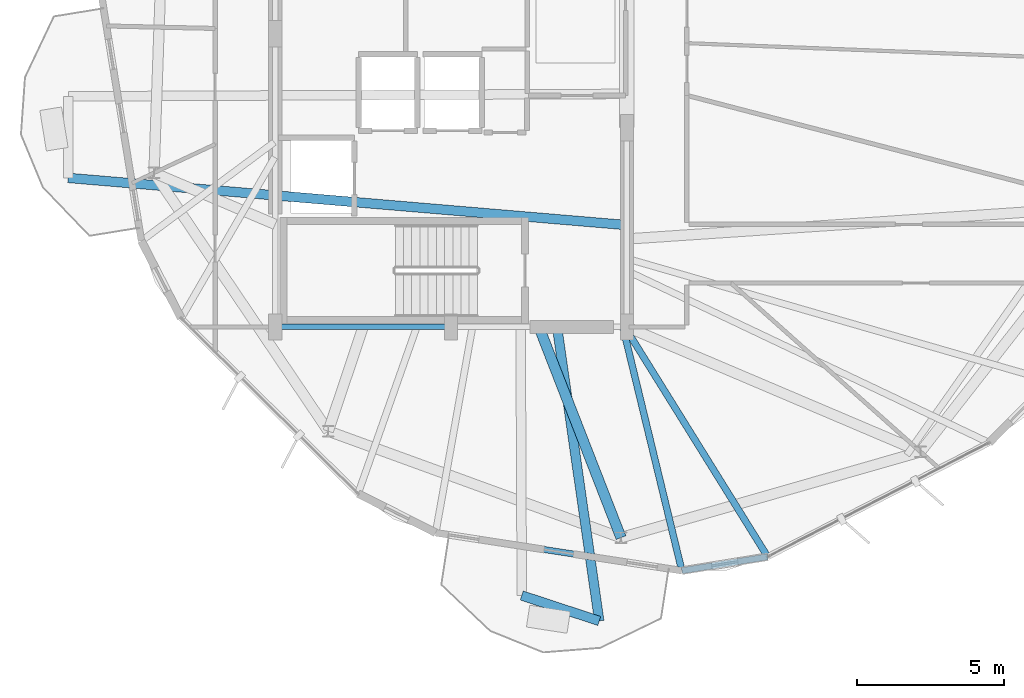
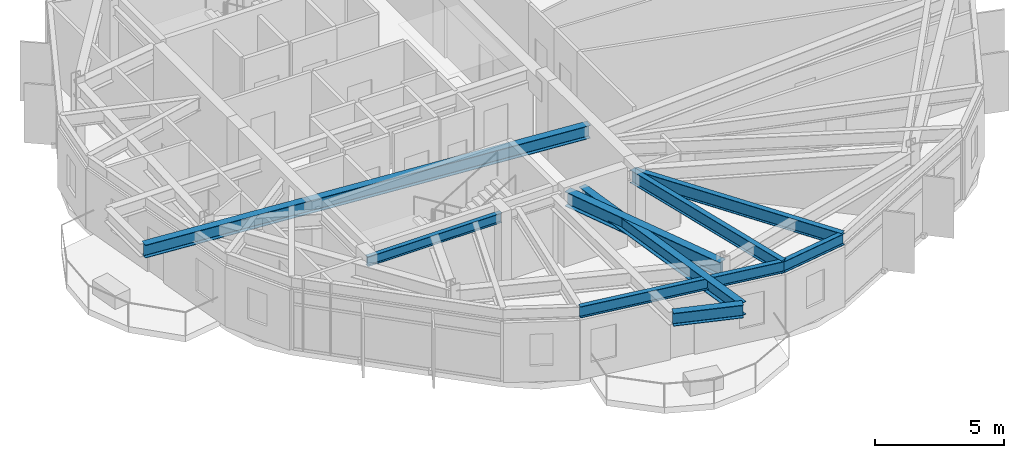
# One storey, part 4 of 22: 9 beams.
"""IFC4 building model written with IfcOpenShell, lengths in metres."""

from ifc_helpers import new_model, si_unit, direction, frame, origin, origin_2d, place, context, subcontext, project, spatial, i_section, extrude, material, material_profile, profile_set, type_object, element, save


model = new_model("IFC4")

# Units and contexts
model_context = context("Model", 3, precision=1e-05, world=origin(), true_north=direction((0.0, 1.0)))
body_context = subcontext(model_context, "Body", "Model", "MODEL_VIEW")
ifc_project = project(units=[si_unit("LENGTHUNIT", "METRE"), si_unit("AREAUNIT", "SQUARE_METRE"), si_unit("VOLUMEUNIT", "CUBIC_METRE"), si_unit("PLANEANGLEUNIT", "RADIAN"), si_unit("MASSUNIT", "GRAM", prefix="KILO")], contexts=[model_context])

# Site, building, storey
site_placement = place(None, origin())
site = spatial("IfcSite", under=ifc_project, at=site_placement, CompositionType="ELEMENT")
building_placement = place(site_placement, origin())
building = spatial("IfcBuilding", under=site, at=building_placement, Name="Soratama Intermodal Tower", CompositionType="ELEMENT")
storey_placement = place(building_placement, frame((0.0, 0.0, 265.0)))
storey = spatial("IfcBuildingStorey", under=building, at=storey_placement, Name="L67", CompositionType="ELEMENT", Elevation=265.0)

# Beams
ifc_material_1 = material(Name="Structural steel ASTM A992 Grade 50", Category="steel")
ifc_material_profile_1 = material_profile(ifc_material_1, i_section(OverallWidth=0.324951171875, OverallDepth=0.615966796875, WebThickness=0.013916015625, FlangeThickness=0.021484375, FilletRadius=0.013916015625, at=origin_2d()), Name="W24X117")
ifc_profile_set_1 = profile_set([ifc_material_profile_1], Name="Structural steel ASTM A992 Grade 50")
beam_type_1 = type_object("IfcBeamType", Name="BM-CANT-W24X117", PredefinedType="BEAM", material=ifc_profile_set_1)
beam_1_placement = place(storey_placement, frame((41.014892578125, 5.8369140625, 3.14208984375), z_axis=(0.949982665773, -0.312302633243, 0.0), x_axis=(0.312302633243, 0.949982665773, 0.0)))
element("IfcBeam", 1, at=beam_1_placement, inside=storey, type_object=beam_type_1, Name="BM-L67-CBHDR-3", PredefinedType="BEAM", context=body_context, shape_type="SweptSolid", body=[
    extrude(i_section(OverallWidth=0.324951171875, OverallDepth=0.615966796875, WebThickness=0.013916015625, FlangeThickness=0.021484375, FilletRadius=0.013916015625, at=origin_2d()), origin(), (0.0, 0.0, 1.0), 2.7822265625),
])
beam_2_placement = place(storey_placement, frame((44.56005859375, 18.47802734375, 3.14208984375), z_axis=(-0.996447989634, 0.084210474134, 0.0), x_axis=(-0.084210474134, -0.996447989634, 0.0)))
element("IfcBeam", 2, at=beam_2_placement, inside=storey, type_object=beam_type_1, Name="BM-L67-CANT-2-2", PredefinedType="BEAM", context=body_context, shape_type="SweptSolid", body=[
    extrude(i_section(OverallWidth=0.324951171875, OverallDepth=0.615966796875, WebThickness=0.013916015625, FlangeThickness=0.021484375, FilletRadius=0.013916015625, at=origin_2d()), origin(), (0.0, 0.0, 1.0), 19.093994140625),
])
beam_3_placement = place(storey_placement, frame((42.22412109375, 14.9599609375, 3.14208984375), z_axis=(0.142044359508, -0.989860293138, 0.0), x_axis=(0.989860293138, 0.142044359508, 0.0)))
element("IfcBeam", 3, at=beam_3_placement, inside=storey, type_object=beam_type_1, Name="BM-L67-CANT-3-2", PredefinedType="BEAM", context=body_context, shape_type="SweptSolid", body=[
    extrude(i_section(OverallWidth=0.324951171875, OverallDepth=0.615966796875, WebThickness=0.013916015625, FlangeThickness=0.021484375, FilletRadius=0.013916015625, at=origin_2d()), origin(), (0.0, 0.0, 1.0), 10.09423828125),
])
ifc_material_2 = material(Name="Structural steel ASTM A992 Grade 50", Category="steel")
ifc_material_profile_2 = material_profile(ifc_material_2, i_section(OverallWidth=0.19091796875, OverallDepth=0.4599609375, WebThickness=0.010009765625, FlangeThickness=0.01611328125, FilletRadius=0.010986328125, at=origin_2d()), Name="W18X55")
ifc_profile_set_2 = profile_set([ifc_material_profile_2], Name="Structural steel ASTM A992 Grade 50")
beam_type_2 = type_object("IfcBeamType", Name="BM-FLR-W18X55", PredefinedType="BEAM", material=ifc_profile_set_2)
beam_4_placement = place(storey_placement, frame((32.60009765625, 15.0, 3.219970703125), z_axis=(1.0, 0.0, 0.0), x_axis=(0.0, 1.0, 0.0)))
element("IfcBeam", 4, at=beam_4_placement, inside=storey, type_object=beam_type_2, Name="BM-L67-CRING-01", PredefinedType="BEAM", context=body_context, shape_type="SweptSolid", body=[
    extrude(i_section(OverallWidth=0.19091796875, OverallDepth=0.4599609375, WebThickness=0.010009765625, FlangeThickness=0.01611328125, FilletRadius=0.010986328125, at=origin_2d()), origin(), (0.0, 0.0, 1.0), 6.0),
])
ifc_material_3 = material(Name="Structural steel ASTM A992 Grade 50", Category="steel")
ifc_material_profile_3 = material_profile(ifc_material_3, i_section(OverallWidth=0.35498046875, OverallDepth=0.695068359375, WebThickness=0.015380859375, FlangeThickness=0.02490234375, FilletRadius=0.01611328125, at=origin_2d()), Name="W27X146")
ifc_profile_set_3 = profile_set([ifc_material_profile_3], Name="Structural steel ASTM A992 Grade 50")
beam_type_3 = type_object("IfcBeamType", Name="BM-RING-W27X146", PredefinedType="BEAM", material=ifc_profile_set_3)
beam_5_placement = place(storey_placement, frame((41.60009765625, 15.0, 3.1025390625), z_axis=(0.362907405592, -0.931825206231, 0.0), x_axis=(0.931825206231, 0.362907405592, 0.0)))
element("IfcBeam", 5, at=beam_5_placement, inside=storey, type_object=beam_type_3, Name="BM-L67-RAD-08", PredefinedType="BEAM", context=body_context, shape_type="SweptSolid", body=[
    extrude(i_section(OverallWidth=0.35498046875, OverallDepth=0.695068359375, WebThickness=0.015380859375, FlangeThickness=0.02490234375, FilletRadius=0.01611328125, at=origin_2d()), origin(), (0.0, 0.0, 1.0), 7.71484375),
])
ifc_material_4 = material(Name="Structural steel ASTM A992 Grade 50", Category="steel")
ifc_material_profile_4 = material_profile(ifc_material_4, i_section(OverallWidth=0.2099609375, OverallDepth=0.537109375, WebThickness=0.010986328125, FlangeThickness=0.017333984375, FilletRadius=0.012939453125, at=origin_2d()), Name="W21X68")
ifc_profile_set_4 = profile_set([ifc_material_profile_4], Name="Structural steel ASTM A992 Grade 50")
beam_type_4 = type_object("IfcBeamType", Name="BM-SPN-W21X68", PredefinedType="SPANDREL", material=ifc_profile_set_4)
beam_6_placement = place(storey_placement, frame((38.076904296875, 7.97607421875, 3.181396484375), z_axis=(0.988321500684, -0.152383106959, 0.0), x_axis=(0.152383106959, 0.988321500684, 0.0)))
element("IfcBeam", 6, at=beam_6_placement, inside=storey, type_object=beam_type_4, Name="BS-L67-F06", PredefinedType="SPANDREL", context=body_context, shape_type="SweptSolid", body=[
    extrude(i_section(OverallWidth=0.2099609375, OverallDepth=0.537109375, WebThickness=0.010986328125, FlangeThickness=0.017333984375, FilletRadius=0.012939453125, at=origin_2d()), origin(), (0.0, 0.0, 1.0), 8.49951171875),
])
beam_7_placement = place(storey_placement, frame((46.47705078125, 6.680908203125, 3.181396484375), z_axis=(0.986985711255, 0.16080797797, 0.0), x_axis=(-0.16080797797, 0.986985711255, 0.0)))
element("IfcBeam", 7, at=beam_7_placement, inside=storey, type_object=beam_type_4, Name="BS-L67-CRN06", PredefinedType="SPANDREL", context=body_context, shape_type="SweptSolid", body=[
    extrude(i_section(OverallWidth=0.2099609375, OverallDepth=0.537109375, WebThickness=0.010986328125, FlangeThickness=0.017333984375, FilletRadius=0.012939453125, at=origin_2d()), origin(), (0.0, 0.0, 1.0), 2.966552734375),
])
ifc_material_5 = material(Name="Structural steel ASTM A992 Grade 50", Category="steel")
ifc_material_profile_5 = material_profile(ifc_material_5, i_section(OverallWidth=0.22900390625, OverallDepth=0.612060546875, WebThickness=0.011962890625, FlangeThickness=0.01953125, FilletRadius=0.012939453125, at=origin_2d()), Name="W24X84")
ifc_profile_set_5 = profile_set([ifc_material_profile_5], Name="Structural steel ASTM A992 Grade 50")
beam_type_5 = type_object("IfcBeamType", Name="BM-TIE-W24X84", PredefinedType="BEAM", material=ifc_profile_set_5)
beam_8_placement = place(storey_placement, frame((44.472900390625, 14.9609375, 3.14404296875), z_axis=(0.235253058107, -0.971934153454, 0.0), x_axis=(0.971934153454, 0.235253058107, 0.0)))
element("IfcBeam", 8, at=beam_8_placement, inside=storey, type_object=beam_type_5, Name="BM-L67-TIE1-06", PredefinedType="BEAM", context=body_context, shape_type="SweptSolid", body=[
    extrude(i_section(OverallWidth=0.22900390625, OverallDepth=0.612060546875, WebThickness=0.011962890625, FlangeThickness=0.01953125, FilletRadius=0.012939453125, at=origin_2d()), origin(), (0.0, 0.0, 1.0), 8.51904296875),
])
beam_9_placement = place(storey_placement, frame((44.551025390625, 14.966064453125, 3.14404296875), z_axis=(0.527958968637, -0.849269879034, 0.0), x_axis=(0.849269879034, 0.527958968637, 0.0)))
element("IfcBeam", 9, at=beam_9_placement, inside=storey, type_object=beam_type_5, Name="BM-L67-TIE0-07", PredefinedType="BEAM", context=body_context, shape_type="SweptSolid", body=[
    extrude(i_section(OverallWidth=0.22900390625, OverallDepth=0.612060546875, WebThickness=0.011962890625, FlangeThickness=0.01953125, FilletRadius=0.012939453125, at=origin_2d()), origin(), (0.0, 0.0, 1.0), 9.19384765625),
])

save(model, "model.ifc")
